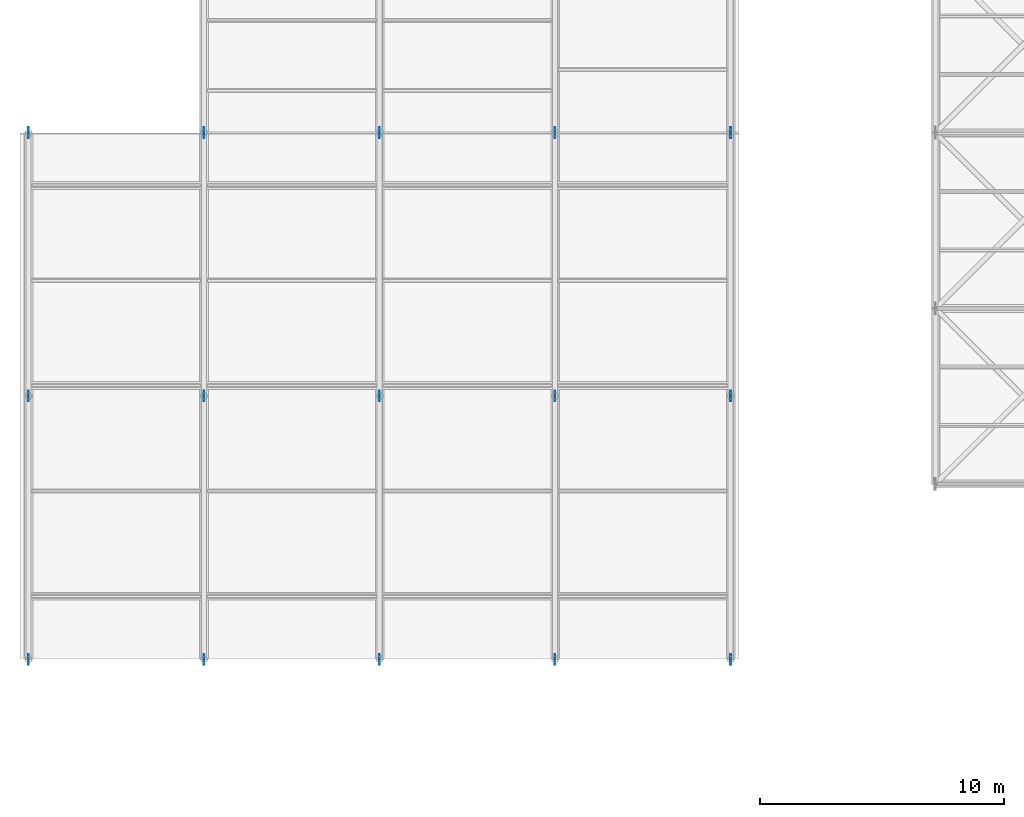
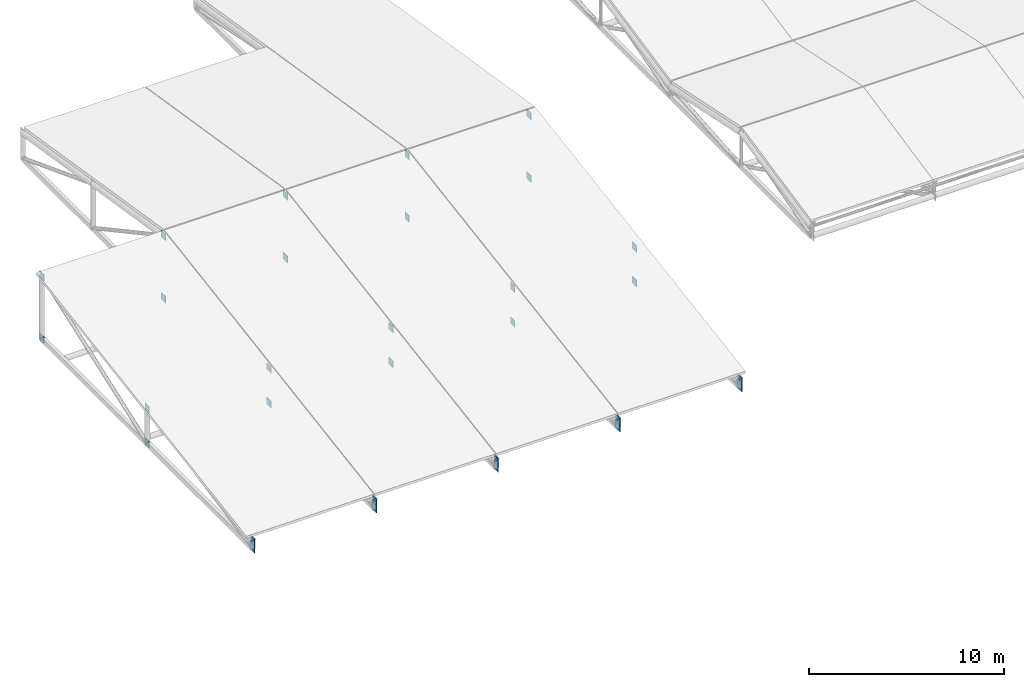
# One storey, part 64 of 72: 30 plates.
"""IFC4 building model written with IfcOpenShell, lengths in metres."""

from ifc_helpers import new_model, si_unit, direction, frame, origin, origin_2d, place, context, subcontext, project, spatial, rectangle, extrude, material, layer, layer_set, type_object, element, save


model = new_model("IFC4")

# Units and contexts
model_context = context("Model", 3, precision=1e-05, world=origin(), true_north=direction((0.0, 1.0)))
body_context = subcontext(model_context, "Body", "Model", "MODEL_VIEW")
ifc_project = project(units=[si_unit("LENGTHUNIT", "METRE"), si_unit("AREAUNIT", "SQUARE_METRE"), si_unit("VOLUMEUNIT", "CUBIC_METRE"), si_unit("PLANEANGLEUNIT", "RADIAN"), si_unit("MASSUNIT", "GRAM", prefix="KILO")], contexts=[model_context])

# Site, building, storey
site_placement = place(None, origin())
site = spatial("IfcSite", under=ifc_project, at=site_placement, CompositionType="ELEMENT")
building_placement = place(site_placement, origin())
building = spatial("IfcBuilding", under=site, at=building_placement, Name="Vaelcorin Mobility Hub", CompositionType="ELEMENT")
storey_placement = place(building_placement, frame((0.0, 0.0, 25.800048828125)))
storey = spatial("IfcBuildingStorey", under=building, at=storey_placement, Name="RF", CompositionType="ELEMENT", Elevation=25.800048828125)

# Plates
ifc_material = material(Name="Steel ASTM A572 Grade 50", Category="steel")
ifc_layer = layer(ifc_material, 0.030029296875)
ifc_layer_set = layer_set([ifc_layer], Name="Steel ASTM A572 Grade 50")
plate_type = type_object("IfcPlateType", Name="PL-TN2", PredefinedType="USERDEFINED", material=ifc_layer_set)
for number, where, z_axis, x_axis, name in (
    (1, (6.0, 76.800048828125, -3.966064453125), (0.0, 0.0, 1.0), (1.0, 0.0, 0.0), "V2W Drum Truss Upper Node 1-0"),
    (2, (6.0, 76.800048828125, -4.409912109375), (0.0, 0.0, 1.0), (1.0, 0.0, 0.0), "V2W Drum Truss Bottom Node 1-0"),
    (3, (6.0, 87.60009765625, -2.238037109375), (0.0, 0.0, 1.0), (1.0, 0.0, 0.0), "V2W Drum Truss Upper Node 1-1"),
    (4, (6.0, 87.60009765625, -4.409912109375), (0.0, 0.0, 1.0), (1.0, 0.0, 0.0), "V2W Drum Truss Bottom Node 1-1"),
    (5, (6.0, 98.39990234375, -0.510009765625), (0.0, 0.0, 1.0), (1.0, 0.0, 0.0), "V2W Drum Truss Upper Node 1-2"),
    (6, (6.0, 98.39990234375, -4.409912109375), (0.0, 0.0, 1.0), (1.0, 0.0, 0.0), "V2W Drum Truss Bottom Node 1-2"),
    (7, (13.199951171875, 76.800048828125, -3.966064453125), (0.0, 0.0, 1.0), (1.0, 0.0, 0.0), "V2W Drum Truss Upper Node 2-0"),
    (8, (13.199951171875, 76.800048828125, -4.409912109375), (0.0, 0.0, 1.0), (1.0, 0.0, 0.0), "V2W Drum Truss Bottom Node 2-0"),
    (9, (13.199951171875, 87.60009765625, -2.238037109375), (0.0, 0.0, 1.0), (1.0, 0.0, 0.0), "V2W Drum Truss Upper Node 2-1"),
    (10, (13.199951171875, 87.60009765625, -4.409912109375), (0.0, 0.0, 1.0), (1.0, 0.0, 0.0), "V2W Drum Truss Bottom Node 2-1"),
    (11, (13.199951171875, 98.39990234375, -0.510009765625), (0.0, 0.0, 1.0), (1.0, 0.0, 0.0), "V2W Drum Truss Upper Node 2-2"),
    (12, (13.199951171875, 98.39990234375, -4.409912109375), (0.0, 0.0, 1.0), (1.0, 0.0, 0.0), "V2W Drum Truss Bottom Node 2-2"),
    (13, (20.39990234375, 76.800048828125, -3.966064453125), (0.0, 0.0, 1.0), (1.0, 0.0, 0.0), "V2W Drum Truss Upper Node 3-0"),
    (14, (20.39990234375, 76.800048828125, -4.409912109375), (0.0, 0.0, 1.0), (1.0, 0.0, 0.0), "V2W Drum Truss Bottom Node 3-0"),
    (15, (20.39990234375, 87.60009765625, -2.238037109375), (0.0, 0.0, 1.0), (1.0, 0.0, 0.0), "V2W Drum Truss Upper Node 3-1"),
    (16, (20.39990234375, 87.60009765625, -4.409912109375), (0.0, 0.0, 1.0), (1.0, 0.0, 0.0), "V2W Drum Truss Bottom Node 3-1"),
    (17, (20.39990234375, 98.39990234375, -0.510009765625), (0.0, 0.0, 1.0), (1.0, 0.0, 0.0), "V2W Drum Truss Upper Node 3-2"),
    (18, (20.39990234375, 98.39990234375, -4.409912109375), (0.0, 0.0, 1.0), (1.0, 0.0, 0.0), "V2W Drum Truss Bottom Node 3-2"),
    (19, (27.60009765625, 76.800048828125, -3.966064453125), (0.0, 0.0, 1.0), (1.0, 0.0, 0.0), "V2W Drum Truss Upper Node 4-0"),
    (20, (27.60009765625, 76.800048828125, -4.409912109375), (0.0, 0.0, 1.0), (1.0, 0.0, 0.0), "V2W Drum Truss Bottom Node 4-0"),
    (21, (27.60009765625, 87.60009765625, -2.238037109375), (0.0, 0.0, 1.0), (1.0, 0.0, 0.0), "V2W Drum Truss Upper Node 4-1"),
    (22, (27.60009765625, 87.60009765625, -4.409912109375), (0.0, 0.0, 1.0), (1.0, 0.0, 0.0), "V2W Drum Truss Bottom Node 4-1"),
    (23, (27.60009765625, 98.39990234375, -0.510009765625), (0.0, 0.0, 1.0), (1.0, 0.0, 0.0), "V2W Drum Truss Upper Node 4-2"),
    (24, (27.60009765625, 98.39990234375, -4.409912109375), (0.0, 0.0, 1.0), (1.0, 0.0, 0.0), "V2W Drum Truss Bottom Node 4-2"),
    (25, (34.800048828125, 76.800048828125, -3.966064453125), (0.0, 0.0, 1.0), (1.0, 0.0, 0.0), "V2W Drum Truss Upper Node 5-0"),
    (26, (34.800048828125, 76.800048828125, -4.409912109375), (0.0, 0.0, 1.0), (1.0, 0.0, 0.0), "V2W Drum Truss Bottom Node 5-0"),
    (27, (34.800048828125, 87.60009765625, -2.238037109375), (0.0, 0.0, 1.0), (1.0, 0.0, 0.0), "V2W Drum Truss Upper Node 5-1"),
    (28, (34.800048828125, 87.60009765625, -4.409912109375), (0.0, 0.0, 1.0), (1.0, 0.0, 0.0), "V2W Drum Truss Bottom Node 5-1"),
    (29, (34.800048828125, 98.39990234375, -0.510009765625), (0.0, 0.0, 1.0), (1.0, 0.0, 0.0), "V2W Drum Truss Upper Node 5-2"),
    (30, (34.800048828125, 98.39990234375, -4.409912109375), (0.0, 0.0, 1.0), (1.0, 0.0, 0.0), "V2W Drum Truss Bottom Node 5-2"),
):
    element("IfcPlate", number, at=place(storey_placement, frame(where, z_axis=z_axis, x_axis=x_axis)), inside=storey, type_object=plate_type, Name=name, ObjectType="GUSSET PLATE", PredefinedType="USERDEFINED", context=body_context, shape_type="SweptSolid", body=[
        extrude(rectangle(XDim=0.030029296875, YDim=0.43994140625, at=origin_2d()), origin(), (0.0, 0.0, 1.0), 0.419921875),
    ])

save(model, "model.ifc")
